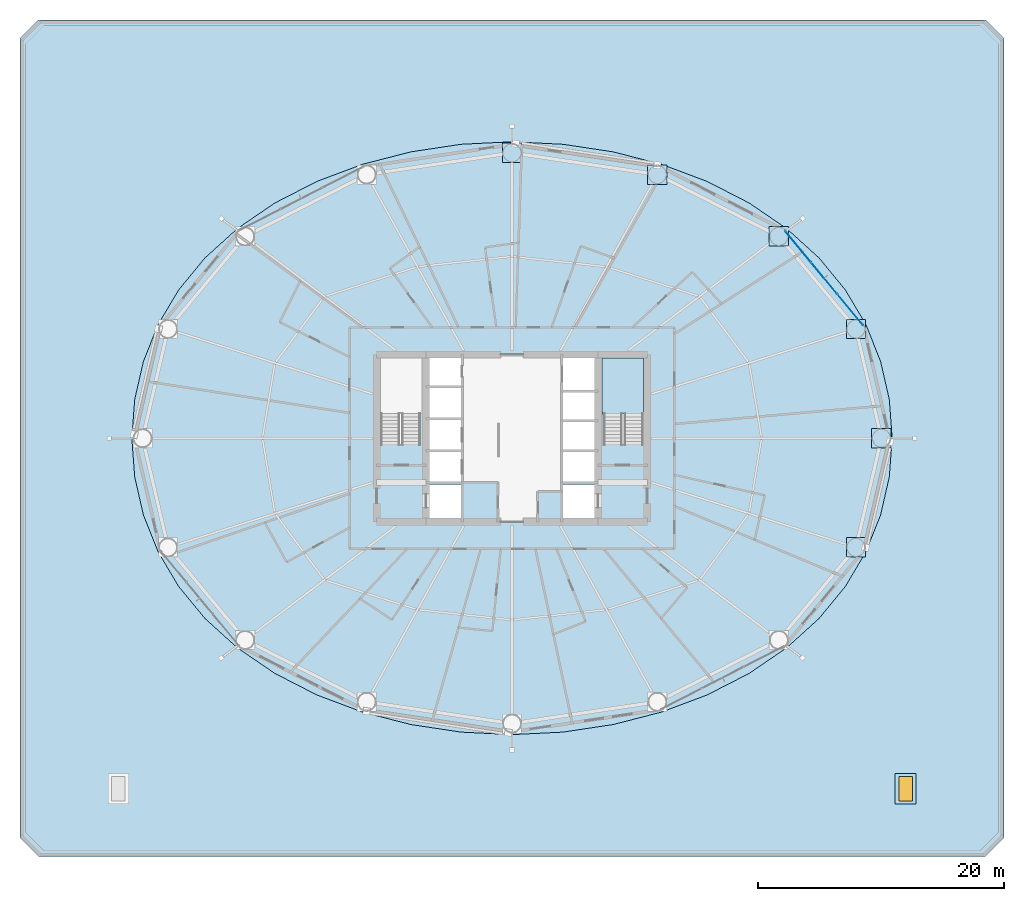
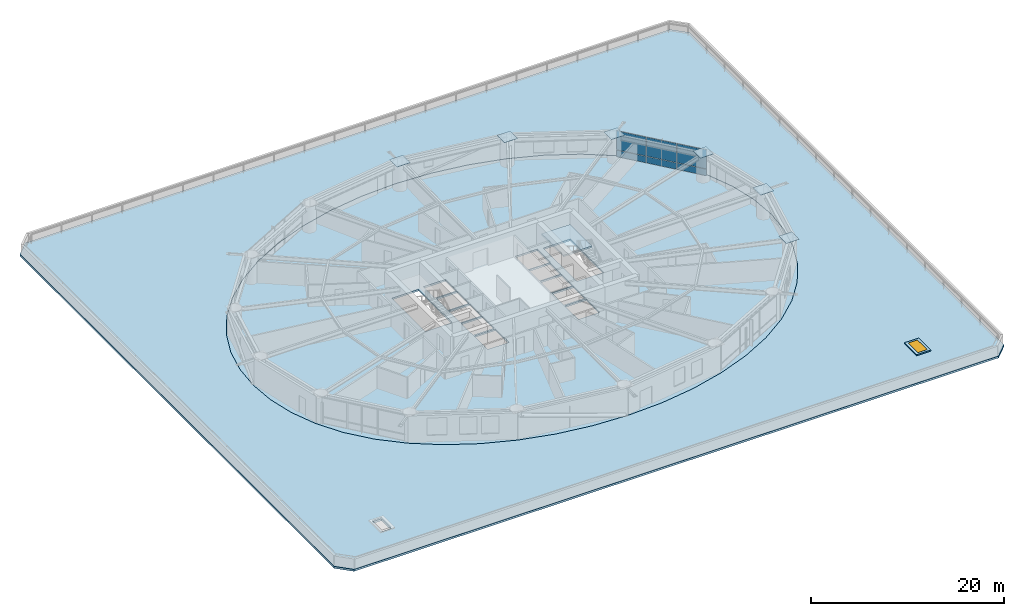
# One storey, part 18 of 30: 12 plates, 4 slabs, 1 door, 1 opening, 2 elements without a shape of their own.
"""IFC4 building model written with IfcOpenShell, lengths in metres."""

from ifc_helpers import new_model, si_unit, direction, frame, origin, origin_2d, place, context, subcontext, project, spatial, polyline, rectangle, outline, extrude, material, layer, layer_set, type_object, element, fill, aggregate, save


model = new_model("IFC4")

# Units and contexts
model_context = context("Model", 3, precision=1e-05, world=origin(), true_north=direction((0.0, 1.0)))
body_context = subcontext(model_context, "Body", "Model", "MODEL_VIEW")
ifc_project = project(units=[si_unit("LENGTHUNIT", "METRE"), si_unit("AREAUNIT", "SQUARE_METRE"), si_unit("VOLUMEUNIT", "CUBIC_METRE"), si_unit("PLANEANGLEUNIT", "RADIAN"), si_unit("MASSUNIT", "GRAM", prefix="KILO")], contexts=[model_context])

# Site, building, storey
site_placement = place(None, origin())
site = spatial("IfcSite", under=ifc_project, at=site_placement, CompositionType="ELEMENT")
building_placement = place(site_placement, origin())
building = spatial("IfcBuilding", under=site, at=building_placement, Name="Sarneth Arch Tower", CompositionType="ELEMENT")
storey_placement = place(building_placement, frame((0.0, 0.0, 28.199951171875)))
storey = spatial("IfcBuildingStorey", under=building, at=storey_placement, Name="L05", CompositionType="ELEMENT", Elevation=28.199951171875)

# Curtain wall, plates
ifc_material_1 = material(Name="Anodised aluminium Type AA25 and solar-control low-e laminated IGU", Category="aluminium")
ifc_layer_1 = layer(ifc_material_1, 0.159912109375)
ifc_layer_set_1 = layer_set([ifc_layer_1], Name="Anodised aluminium Type AA25 and solar-control low-e laminated IGU")
curtain_wall_type = type_object("IfcCurtainWallType", Name="CW-HOTEL-LOW", PredefinedType="NOTDEFINED", material=ifc_layer_set_1)
curtain_wall_placement = place(storey_placement, origin())
curtain_wall = element("IfcCurtainWall", 1, at=curtain_wall_placement, inside=storey, type_object=curtain_wall_type, Name="L05 Unitised curtain wall facet 02", PredefinedType="NOTDEFINED")
ifc_material_2 = material(Name="Solar-control low-e laminated IGU", Category="glass")
ifc_layer_2 = layer(ifc_material_2, 0.028076171875)
ifc_layer_set_2 = layer_set([ifc_layer_2], Name="Solar-control low-e laminated IGU")
plate_type_1 = type_object("IfcPlateType", Name="CW-PANEL", PredefinedType="CURTAIN_PANEL", material=ifc_layer_set_2)
plate_1_placement = place(storey_placement, frame((75.503662109375, 52.441162109375, 0.06005859375), z_axis=(0.0, 0.0, 1.0), x_axis=(-0.637291340827, 0.770622960278, 0.0)))
plate_1 = element("IfcPlate", 2, at=plate_1_placement, type_object=plate_type_1, Name="Curtain wall glazed vision pane CW-L05-F02/P00-00", PredefinedType="CURTAIN_PANEL", context=body_context, shape_type="SweptSolid", body=[
    extrude(rectangle(XDim=3.260986328125, YDim=0.028076171875, at=origin_2d()), origin(), (0.0, 0.0, 1.0), 0.81005859375),
])
plate_2_placement = place(storey_placement, frame((75.503662109375, 52.441162109375, 0.93017578125), z_axis=(0.0, 0.0, 1.0), x_axis=(-0.637291340827, 0.770622960278, 0.0)))
plate_2 = element("IfcPlate", 3, at=plate_2_placement, type_object=plate_type_1, Name="Curtain wall glazed vision pane CW-L05-F02/P00-01", PredefinedType="CURTAIN_PANEL", context=body_context, shape_type="SweptSolid", body=[
    extrude(rectangle(XDim=3.260986328125, YDim=0.028076171875, at=origin_2d()), origin(), (0.0, 0.0, 1.0), 2.389892578125),
])
plate_3_placement = place(storey_placement, frame((73.37744140625, 55.01220703125, 0.06005859375), z_axis=(0.0, 0.0, 1.0), x_axis=(-0.637291340827, 0.770622960278, 0.0)))
plate_3 = element("IfcPlate", 4, at=plate_3_placement, type_object=plate_type_1, Name="Curtain wall glazed vision pane CW-L05-F02/P01-00", PredefinedType="CURTAIN_PANEL", context=body_context, shape_type="SweptSolid", body=[
    extrude(rectangle(XDim=3.291015625, YDim=0.028076171875, at=origin_2d()), origin(), (0.0, 0.0, 1.0), 0.81005859375),
])
plate_4_placement = place(storey_placement, frame((73.37744140625, 55.01220703125, 0.93017578125), z_axis=(0.0, 0.0, 1.0), x_axis=(-0.637291340827, 0.770622960278, 0.0)))
plate_4 = element("IfcPlate", 5, at=plate_4_placement, type_object=plate_type_1, Name="Curtain wall glazed vision pane CW-L05-F02/P01-01", PredefinedType="CURTAIN_PANEL", context=body_context, shape_type="SweptSolid", body=[
    extrude(rectangle(XDim=3.291015625, YDim=0.028076171875, at=origin_2d()), origin(), (0.0, 0.0, 1.0), 2.389892578125),
])
plate_5_placement = place(storey_placement, frame((71.25146484375, 57.5830078125, 0.06005859375), z_axis=(0.0, 0.0, 1.0), x_axis=(-0.637291340827, 0.770622960278, 0.0)))
plate_5 = element("IfcPlate", 6, at=plate_5_placement, type_object=plate_type_1, Name="Curtain wall glazed vision pane CW-L05-F02/P02-00", PredefinedType="CURTAIN_PANEL", context=body_context, shape_type="SweptSolid", body=[
    extrude(rectangle(XDim=3.260986328125, YDim=0.028076171875, at=origin_2d()), origin(), (0.0, 0.0, 1.0), 0.81005859375),
])
plate_6_placement = place(storey_placement, frame((71.25146484375, 57.5830078125, 0.93017578125), z_axis=(0.0, 0.0, 1.0), x_axis=(-0.637291340827, 0.770622960278, 0.0)))
plate_6 = element("IfcPlate", 7, at=plate_6_placement, type_object=plate_type_1, Name="Curtain wall glazed vision pane CW-L05-F02/P02-01", PredefinedType="CURTAIN_PANEL", context=body_context, shape_type="SweptSolid", body=[
    extrude(rectangle(XDim=3.260986328125, YDim=0.028076171875, at=origin_2d()), origin(), (0.0, 0.0, 1.0), 2.389892578125),
])
aggregate(curtain_wall, [plate_1, plate_2, plate_3, plate_4, plate_5, plate_6])

# Plates
ifc_material_3 = material(Name="Steel S355", Category="steel")
ifc_layer_3 = layer(ifc_material_3, 0.0400390625)
ifc_layer_set_3 = layer_set([ifc_layer_3], Name="Steel S355")
plate_type_2 = type_object("IfcPlateType", Name="PLT-SPLICE-40", PredefinedType="SHEET", material=ifc_layer_set_3)
for number, where, z_axis, x_axis, name in (
    (8, (78.034912109375, 42.0, 3.3623046875), (0.0, 0.0, 1.0), (1.0, 0.0, 0.0), "Steel end cap plate GP-2"),
    (9, (75.965576171875, 50.878173828125, 3.3623046875), (0.0, 0.0, 1.0), (1.0, 0.0, 0.0), "Steel end cap plate GP-2"),
    (10, (69.696533203125, 58.40478515625, 3.3623046875), (0.0, 0.0, 1.0), (1.0, 0.0, 0.0), "Steel end cap plate GP-2"),
    (11, (59.81787109375, 63.43408203125, 3.3623046875), (0.0, 0.0, 1.0), (1.0, 0.0, 0.0), "Steel end cap plate GP-2"),
    (12, (48.0, 65.199951171875, 3.3623046875), (0.0, 0.0, 1.0), (1.0, 0.0, 0.0), "Steel end cap plate GP-2"),
    (13, (75.965576171875, 33.121826171875, 3.3623046875), (0.0, 0.0, 1.0), (1.0, 0.0, 0.0), "Steel end cap plate GP-2"),
):
    element("IfcPlate", number, at=place(storey_placement, frame(where, z_axis=z_axis, x_axis=x_axis)), inside=storey, type_object=plate_type_2, Name=name, PredefinedType="SHEET", context=body_context, shape_type="SweptSolid", body=[
        extrude(rectangle(XDim=1.580078125, YDim=1.580078125, at=origin_2d()), origin(), (0.0, 0.0, 1.0), 0.035888671875),
    ])

# Slab, opening, door
ifc_material_4 = material(Name="Concrete C50/60", Category="concrete")
ifc_layer_4 = layer(ifc_material_4, 0.159912109375)
ifc_layer_set_4 = layer_set([ifc_layer_4], Name="Concrete C50/60")
slab_type_1 = type_object("IfcSlabType", Name="SLAB-KERB-160", PredefinedType="ROOF", material=ifc_layer_set_4)
slab_1_placement = place(storey_placement, origin())
slab_1 = element("IfcSlab", 14, at=slab_1_placement, inside=storey, type_object=slab_type_1, Name="L05 Roof hatch upstand kerb HATCH-L05-2", PredefinedType="ROOF", context=body_context, shape_type="SweptSolid", body=[
    extrude(outline(polyline([(79.14990234375, 12.25), (80.85009765625, 12.25), (80.85009765625, 14.75), (79.14990234375, 14.75), (79.14990234375, 12.25)]), holes=[polyline([(79.449951171875, 12.5), (80.550048828125, 12.5), (80.550048828125, 14.5), (79.449951171875, 14.5), (79.449951171875, 12.5)])]), origin(), (0.0, 0.0, 1.0), 0.16015625),
])
opening_placement = place(slab_1_placement, frame((80.0, 13.5, 0.0)))
opening = element("IfcOpeningElement", 15, at=opening_placement, cuts=slab_1, Name="Opening RH-1", PredefinedType="OPENING", context=body_context, shape_type="SweptSolid", body=[
    extrude(rectangle(XDim=1.10009765625, YDim=2.0, at=origin_2d()), origin(), (0.0, 0.0, 1.0), 0.16015625),
])
ifc_material_5 = material(Name="Thermally broken Aluminium 6063-T6 and laminated safety glass", Category="aluminium")
door_type = type_object("IfcDoorType", Name="DR-ROOF-HATCH", OperationType="SINGLE_SWING_LEFT", PredefinedType="TRAPDOOR", material=ifc_material_5)
door_placement = place(opening_placement, frame((0.0, 0.0, 0.110107421875)))
door = element("IfcDoor", 16, at=door_placement, inside=storey, type_object=door_type, Name="L05 Maintenance Roof Access Hatch HATCH-L05-2", OperationType="SINGLE_SWING_LEFT", OverallHeight=2.0, OverallWidth=1.10009765625, PredefinedType="TRAPDOOR", context=body_context, shape_type="SweptSolid", body=[
    extrude(rectangle(XDim=1.10009765625, YDim=2.0, at=origin_2d()), origin(), (0.0, 0.0, 1.0), 0.050048828125),
])
fill(opening, door)

# Stair, slab
ifc_material_6 = material(Name="Concrete C50/60", Category="concrete")
stair_type = type_object("IfcStairType", Name="STAIR-CORE-RC", PredefinedType="HALF_TURN_STAIR", material=ifc_material_6)
stair_placement = place(storey_placement, origin())
stair = element("IfcStair", 17, at=stair_placement, inside=storey, type_object=stair_type, Name="L05 Core Exit Stair 2", PredefinedType="HALF_TURN_STAIR")
ifc_material_7 = material(Name="Concrete C50/60", Category="concrete")
ifc_layer_5 = layer(ifc_material_7, 0.199951171875)
ifc_layer_set_5 = layer_set([ifc_layer_5], Name="Concrete C50/60")
slab_type_2 = type_object("IfcSlabType", Name="SLAB-LANDING-200", PredefinedType="LANDING", material=ifc_layer_set_5)
slab_2_placement = place(storey_placement, frame((0.0, 0.0, 1.60009765625)))
slab_2 = element("IfcSlab", 18, at=slab_2_placement, type_object=slab_type_2, Name="ST-2 landing 1", PredefinedType="LANDING", context=body_context, shape_type="SweptSolid", body=[
    extrude(outline(polyline([(55.300048828125, 43.985107421875), (58.699951171875, 43.985107421875), (58.699951171875, 48.5), (55.300048828125, 48.5), (55.300048828125, 43.985107421875)])), origin(), (0.0, 0.0, 1.0), 0.199951171875),
])
aggregate(stair, [slab_2])

# Slabs
ifc_material_8 = material(Name="Concrete C50/60", Category="concrete")
ifc_layer_6 = layer(ifc_material_8, 0.25)
ifc_layer_set_6 = layer_set([ifc_layer_6], Name="Concrete C50/60")
slab_type_3 = type_object("IfcSlabType", Name="SLAB-PODROOF-250", PredefinedType="ROOF", material=ifc_layer_set_6)
slab_3_placement = place(storey_placement, frame((0.0, 0.0, -0.25)))
element("IfcSlab", 19, at=slab_3_placement, inside=storey, type_object=slab_type_3, Name="L05 Podium maintenance roof slab", PredefinedType="ROOF", context=body_context, shape_type="SweptSolid", body=[
    extrude(outline(polyline([(9.5, 8.0), (86.5, 8.0), (88.0, 9.5), (88.0, 74.5), (86.5, 76.0), (9.5, 76.0), (8.0, 74.5), (8.0, 9.5), (9.5, 8.0)]), holes=[polyline([(78.90966796875, 42.0), (78.675048828125, 45.145751953125), (77.9677734375, 48.237548828125), (76.780029296875, 51.22265625), (75.10595703125, 54.050048828125), (72.94873046875, 56.671142578125), (70.32861328125, 59.041259765625), (67.2841796875, 61.119873046875), (63.8720703125, 62.87109375), (60.162109375, 64.265380859375), (56.2294921875, 65.27880859375), (52.150634765625, 65.893798828125), (48.0, 66.10009765625), (43.849365234375, 65.893798828125), (39.7705078125, 65.27880859375), (35.837890625, 64.265380859375), (32.1279296875, 62.87109375), (28.7158203125, 61.119873046875), (25.67138671875, 59.041259765625), (23.05126953125, 56.671142578125), (20.89404296875, 54.050048828125), (19.219970703125, 51.22265625), (18.0322265625, 48.237548828125), (17.324951171875, 45.145751953125), (17.09033203125, 42.0), (17.324951171875, 38.854248046875), (18.0322265625, 35.762451171875), (19.219970703125, 32.77734375), (20.89404296875, 29.949951171875), (23.05126953125, 27.328857421875), (25.67138671875, 24.958740234375), (28.7158203125, 22.880126953125), (32.1279296875, 21.12890625), (35.837890625, 19.734619140625), (39.7705078125, 18.72119140625), (43.849365234375, 18.106201171875), (48.0, 17.89990234375), (52.150634765625, 18.106201171875), (56.2294921875, 18.72119140625), (60.162109375, 19.734619140625), (63.8720703125, 21.12890625), (67.2841796875, 22.880126953125), (70.32861328125, 24.958740234375), (72.94873046875, 27.328857421875), (75.10595703125, 29.949951171875), (76.780029296875, 32.77734375), (77.9677734375, 35.762451171875), (78.675048828125, 38.854248046875), (78.90966796875, 42.0)]), polyline([(15.449951171875, 12.5), (16.550048828125, 12.5), (16.550048828125, 14.5), (15.449951171875, 14.5), (15.449951171875, 12.5)]), polyline([(79.449951171875, 12.5), (80.550048828125, 12.5), (80.550048828125, 14.5), (79.449951171875, 14.5), (79.449951171875, 12.5)])]), origin(), (0.0, 0.0, 1.0), 0.25),
])
ifc_material_9 = material(Name="Concrete C50/60", Category="concrete")
ifc_layer_7 = layer(ifc_material_9, 0.219970703125)
ifc_layer_set_7 = layer_set([ifc_layer_7], Name="Concrete C50/60")
slab_type_4 = type_object("IfcSlabType", Name="SLAB-TOWER-220", PredefinedType="FLOOR", material=ifc_layer_set_7)
slab_4_placement = place(storey_placement, frame((0.0, 0.0, -0.219970703125)))
element("IfcSlab", 20, at=slab_4_placement, inside=storey, type_object=slab_type_4, Name="L05 Elliptical floor slab", PredefinedType="FLOOR", context=body_context, shape_type="SweptSolid", body=[
    extrude(outline(polyline([(78.90966796875, 42.0), (78.675048828125, 45.145751953125), (77.9677734375, 48.237548828125), (76.780029296875, 51.22265625), (75.10595703125, 54.050048828125), (72.94873046875, 56.671142578125), (70.32861328125, 59.041259765625), (67.2841796875, 61.119873046875), (63.8720703125, 62.87109375), (60.162109375, 64.265380859375), (56.2294921875, 65.27880859375), (52.150634765625, 65.893798828125), (48.0, 66.10009765625), (43.849365234375, 65.893798828125), (39.7705078125, 65.27880859375), (35.837890625, 64.265380859375), (32.1279296875, 62.87109375), (28.7158203125, 61.119873046875), (25.67138671875, 59.041259765625), (23.05126953125, 56.671142578125), (20.89404296875, 54.050048828125), (19.219970703125, 51.22265625), (18.0322265625, 48.237548828125), (17.324951171875, 45.145751953125), (17.09033203125, 42.0), (17.324951171875, 38.854248046875), (18.0322265625, 35.762451171875), (19.219970703125, 32.77734375), (20.89404296875, 29.949951171875), (23.05126953125, 27.328857421875), (25.67138671875, 24.958740234375), (28.7158203125, 22.880126953125), (32.1279296875, 21.12890625), (35.837890625, 19.734619140625), (39.7705078125, 18.72119140625), (43.849365234375, 18.106201171875), (48.0, 17.89990234375), (52.150634765625, 18.106201171875), (56.2294921875, 18.72119140625), (60.162109375, 19.734619140625), (63.8720703125, 21.12890625), (67.2841796875, 22.880126953125), (70.32861328125, 24.958740234375), (72.94873046875, 27.328857421875), (75.10595703125, 29.949951171875), (76.780029296875, 32.77734375), (77.9677734375, 35.762451171875), (78.675048828125, 38.854248046875), (78.90966796875, 42.0)]), holes=[polyline([(37.35009765625, 41.489990234375), (40.550048828125, 41.489990234375), (40.550048828125, 48.39990234375), (37.35009765625, 48.39990234375), (37.35009765625, 41.489990234375)]), polyline([(55.449951171875, 41.489990234375), (58.64990234375, 41.489990234375), (58.64990234375, 48.39990234375), (55.449951171875, 48.39990234375), (55.449951171875, 41.489990234375)]), polyline([(41.199951171875, 46.25), (43.85009765625, 46.25), (43.85009765625, 48.550048828125), (41.199951171875, 48.550048828125), (41.199951171875, 46.25)]), polyline([(41.300048828125, 35.449951171875), (43.85009765625, 35.449951171875), (43.85009765625, 38.25), (41.300048828125, 38.25), (41.300048828125, 35.449951171875)]), polyline([(52.14990234375, 35.449951171875), (54.699951171875, 35.449951171875), (54.699951171875, 38.25), (52.14990234375, 38.25), (52.14990234375, 35.449951171875)]), polyline([(52.14990234375, 45.85009765625), (54.800048828125, 45.85009765625), (54.800048828125, 48.550048828125), (52.14990234375, 48.550048828125), (52.14990234375, 45.85009765625)]), polyline([(41.300048828125, 38.449951171875), (43.85009765625, 38.449951171875), (43.85009765625, 40.89990234375), (41.300048828125, 40.89990234375), (41.300048828125, 38.449951171875)]), polyline([(41.300048828125, 41.050048828125), (43.85009765625, 41.050048828125), (43.85009765625, 43.5), (41.300048828125, 43.5), (41.300048828125, 41.050048828125)]), polyline([(41.300048828125, 43.64990234375), (43.85009765625, 43.64990234375), (43.85009765625, 46.10009765625), (41.300048828125, 46.10009765625), (41.300048828125, 43.64990234375)]), polyline([(52.14990234375, 38.449951171875), (54.699951171875, 38.449951171875), (54.699951171875, 40.89990234375), (52.14990234375, 40.89990234375), (52.14990234375, 38.449951171875)]), polyline([(52.14990234375, 41.050048828125), (54.699951171875, 41.050048828125), (54.699951171875, 43.35009765625), (52.14990234375, 43.35009765625), (52.14990234375, 41.050048828125)]), polyline([(52.14990234375, 43.5), (54.699951171875, 43.5), (54.699951171875, 45.75), (52.14990234375, 45.75), (52.14990234375, 43.5)])]), origin(), (0.0, 0.0, 1.0), 0.219970703125),
])

save(model, "model.ifc")
